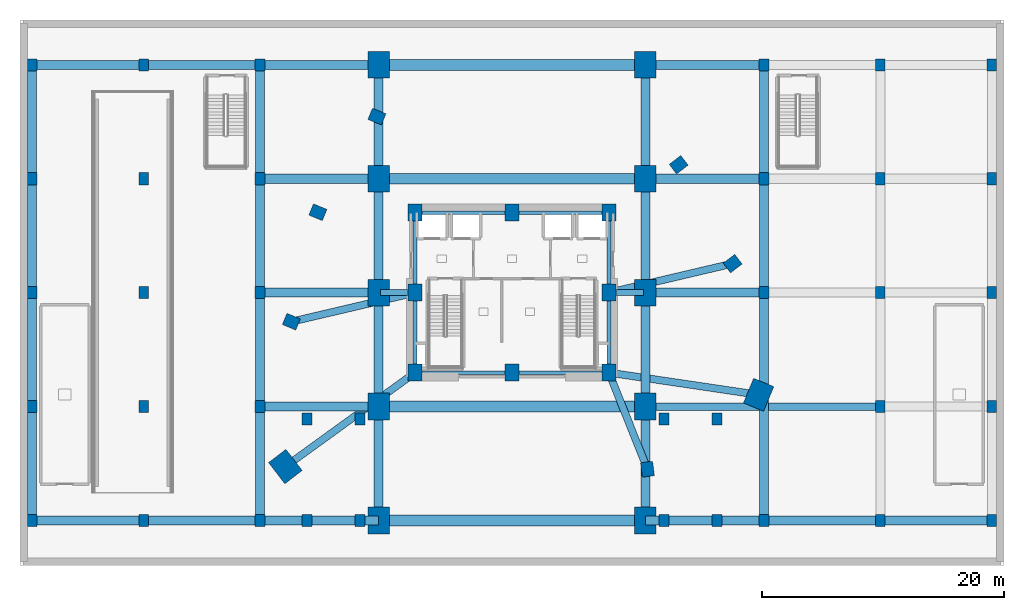
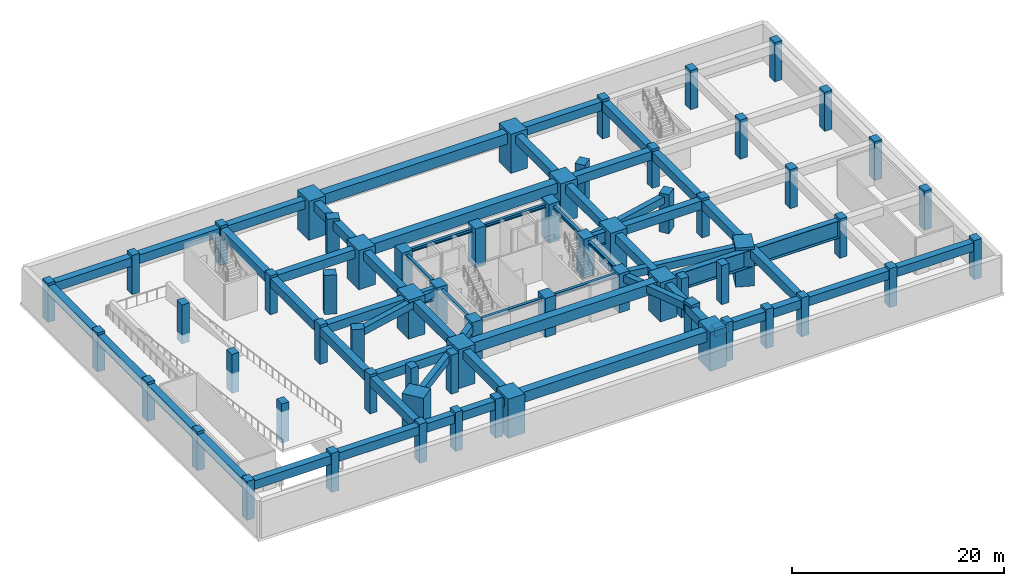
# One storey, part 1 of 9: 63 columns, 58 beams.
"""IFC4 building model written with IfcOpenShell, lengths in metres."""

from ifc_helpers import new_model, si_unit, direction, frame, origin, origin_2d, place, context, subcontext, project, spatial, rectangle, i_section, extrude, material, material_profile, profile_set, type_object, element, save


model = new_model("IFC4")

# Units and contexts
model_context = context("Model", 3, precision=1e-05, world=origin(), true_north=direction((0.0, 1.0)))
body_context = subcontext(model_context, "Body", "Model", "MODEL_VIEW")
ifc_project = project(units=[si_unit("LENGTHUNIT", "METRE"), si_unit("AREAUNIT", "SQUARE_METRE"), si_unit("VOLUMEUNIT", "CUBIC_METRE"), si_unit("PLANEANGLEUNIT", "RADIAN"), si_unit("MASSUNIT", "GRAM", prefix="KILO")], contexts=[model_context])

# Site, building, storey
site_placement = place(None, origin())
site = spatial("IfcSite", under=ifc_project, at=site_placement, CompositionType="ELEMENT")
building_placement = place(site_placement, origin())
building = spatial("IfcBuilding", under=site, at=building_placement, Name="Ndelora Gate Hotel", CompositionType="ELEMENT")
storey_placement = place(building_placement, frame((0.0, 0.0, -9.0)))
storey = spatial("IfcBuildingStorey", under=building, at=storey_placement, Name="B02", CompositionType="ELEMENT", Elevation=-9.0)

# Columns
ifc_material_1 = material(Name="Concrete C60/75", Category="concrete")
ifc_material_profile_1 = material_profile(ifc_material_1, rectangle(XDim=1.800048828125, YDim=2.199951171875, at=origin_2d()), Name="RC 2200x1800")
ifc_profile_set_1 = profile_set([ifc_material_profile_1], Name="Concrete C60/75")
column_type_1 = type_object("IfcColumnType", Name="COL-ARCH-PIER", PredefinedType="COLUMN", material=ifc_profile_set_1)
for number, where, z_axis, x_axis, name in (
    (1, (-11.0, -18.800048828125, 0.0), (0.0, 0.0, 1.0), (1.0, 0.0, 0.0), "B02 Podium Column PC-04-01"),
    (2, (-11.0, -9.39990234375, 0.0), (0.0, 0.0, 1.0), (1.0, 0.0, 0.0), "B02 Podium Column PC-04-02"),
    (3, (-11.0, 0.0, 0.0), (0.0, 0.0, 1.0), (1.0, 0.0, 0.0), "B02 Podium Column PC-04-03"),
    (4, (-11.0, 9.39990234375, 0.0), (0.0, 0.0, 1.0), (1.0, 0.0, 0.0), "B02 Podium Column PC-04-04"),
    (5, (-11.0, 18.800048828125, 0.0), (0.0, 0.0, 1.0), (1.0, 0.0, 0.0), "B02 Podium Column PC-04-05"),
    (6, (11.0, -18.800048828125, 0.0), (0.0, 0.0, 1.0), (1.0, 0.0, 0.0), "B02 Podium Column PC-05-01"),
    (7, (11.0, -9.39990234375, 0.0), (0.0, 0.0, 1.0), (1.0, 0.0, 0.0), "B02 Podium Column PC-05-02"),
    (8, (11.0, 0.0, 0.0), (0.0, 0.0, 1.0), (1.0, 0.0, 0.0), "B02 Podium Column PC-05-03"),
    (9, (11.0, 9.39990234375, 0.0), (0.0, 0.0, 1.0), (1.0, 0.0, 0.0), "B02 Podium Column PC-05-04"),
    (10, (11.0, 18.800048828125, 0.0), (0.0, 0.0, 1.0), (1.0, 0.0, 0.0), "B02 Podium Column PC-05-05"),
):
    element("IfcColumn", number, at=place(storey_placement, frame(where, z_axis=z_axis, x_axis=x_axis)), inside=storey, type_object=column_type_1, Name=name, PredefinedType="COLUMN", context=body_context, shape_type="SweptSolid", body=[
        extrude(rectangle(XDim=1.800048828125, YDim=2.199951171875, at=origin_2d()), origin(), (0.0, 0.0, 1.0), 4.5),
    ])
ifc_material_profile_2 = material_profile(ifc_material_1, rectangle(XDim=1.14990234375, YDim=1.39990234375, at=origin_2d()), Name="RC 1400x1150")
ifc_profile_set_2 = profile_set([ifc_material_profile_2], Name="Concrete C60/75")
column_type_2 = type_object("IfcColumnType", Name="COL-CC-LOW", PredefinedType="COLUMN", material=ifc_profile_set_2)
for number, where, z_axis, x_axis, name in (
    (11, (-8.0, -6.60009765625, 0.0), (0.0, 0.0, 1.0), (1.0, 0.0, 0.0), "B02 Core Column CC1"),
    (12, (0.0, -6.60009765625, 0.0), (0.0, 0.0, 1.0), (1.0, 0.0, 0.0), "B02 Core Column CC2"),
    (13, (8.0, -6.60009765625, 0.0), (0.0, 0.0, 1.0), (1.0, 0.0, 0.0), "B02 Core Column CC3"),
    (14, (8.0, 0.0, 0.0), (0.0, 0.0, 1.0), (1.0, 0.0, 0.0), "B02 Core Column CC4"),
    (15, (8.0, 6.60009765625, 0.0), (0.0, 0.0, 1.0), (1.0, 0.0, 0.0), "B02 Core Column CC5"),
    (16, (0.0, 6.60009765625, 0.0), (0.0, 0.0, 1.0), (1.0, 0.0, 0.0), "B02 Core Column CC6"),
    (17, (-8.0, 6.60009765625, 0.0), (0.0, 0.0, 1.0), (1.0, 0.0, 0.0), "B02 Core Column CC7"),
    (18, (-8.0, 0.0, 0.0), (0.0, 0.0, 1.0), (1.0, 0.0, 0.0), "B02 Core Column CC8"),
):
    element("IfcColumn", number, at=place(storey_placement, frame(where, z_axis=z_axis, x_axis=x_axis)), inside=storey, type_object=column_type_2, Name=name, PredefinedType="COLUMN", context=body_context, shape_type="SweptSolid", body=[
        extrude(rectangle(XDim=1.14990234375, YDim=1.39990234375, at=origin_2d()), origin(), (0.0, 0.0, 1.0), 4.5),
    ])
ifc_material_profile_3 = material_profile(ifc_material_1, rectangle(XDim=1.800048828125, YDim=2.199951171875, at=origin_2d()), Name="RC 2200x1800")
ifc_profile_set_3 = profile_set([ifc_material_profile_3], Name="Concrete C60/75")
column_type_3 = type_object("IfcColumnType", Name="COL-MC-Z1", PredefinedType="COLUMN", material=ifc_profile_set_3)
for number, where, z_axis, x_axis, name in (
    (19, (-18.701904296875, -14.3505859375, 0.0), (0.0, 0.0, 1.0), (0.793353340291, 0.608761429009, 0.0), "B02 Tower Plumb Root Column R5"),
    (20, (20.35009765625, -8.42919921875, 0.0), (0.0, 0.0, 1.0), (-0.923879532511, 0.382683432365, 0.0), "B02 Tower Plumb Root Column R9"),
):
    element("IfcColumn", number, at=place(storey_placement, frame(where, z_axis=z_axis, x_axis=x_axis)), inside=storey, type_object=column_type_3, Name=name, PredefinedType="COLUMN", context=body_context, shape_type="SweptSolid", body=[
        extrude(rectangle(XDim=1.800048828125, YDim=2.199951171875, at=origin_2d()), origin(), (0.0, 0.0, 1.0), 4.5),
    ])
ifc_material_2 = material(Name="Concrete C50/60", Category="concrete")
ifc_material_profile_4 = material_profile(ifc_material_2, rectangle(XDim=0.800048828125, YDim=1.0, at=origin_2d()), Name="RC 1000x800")
ifc_profile_set_4 = profile_set([ifc_material_profile_4], Name="Concrete C50/60")
column_type_4 = type_object("IfcColumnType", Name="COL-POD-BSM", PredefinedType="COLUMN", material=ifc_profile_set_4)
for number, where, z_axis, x_axis, name in (
    (21, (-39.60009765625, -18.800048828125, 0.0), (0.0, 0.0, 1.0), (1.0, 0.0, 0.0), "B02 Podium Column PC-01-01"),
    (22, (-39.60009765625, -9.39990234375, 0.0), (0.0, 0.0, 1.0), (1.0, 0.0, 0.0), "B02 Podium Column PC-01-02"),
    (23, (-39.60009765625, 0.0, 0.0), (0.0, 0.0, 1.0), (1.0, 0.0, 0.0), "B02 Podium Column PC-01-03"),
    (24, (-39.60009765625, 9.39990234375, 0.0), (0.0, 0.0, 1.0), (1.0, 0.0, 0.0), "B02 Podium Column PC-01-04"),
    (25, (-39.60009765625, 18.800048828125, 0.0), (0.0, 0.0, 1.0), (1.0, 0.0, 0.0), "B02 Podium Column PC-01-05"),
    (26, (-30.39990234375, -18.800048828125, 0.0), (0.0, 0.0, 1.0), (1.0, 0.0, 0.0), "B02 Podium Column PC-02-01"),
    (27, (-30.39990234375, -9.39990234375, 0.0), (0.0, 0.0, 1.0), (1.0, 0.0, 0.0), "B02 Podium Column PC-02-02"),
    (28, (-30.39990234375, 0.0, 0.0), (0.0, 0.0, 1.0), (1.0, 0.0, 0.0), "B02 Podium Column PC-02-03"),
    (29, (-30.39990234375, 9.39990234375, 0.0), (0.0, 0.0, 1.0), (1.0, 0.0, 0.0), "B02 Podium Column PC-02-04"),
    (30, (-30.39990234375, 18.800048828125, 0.0), (0.0, 0.0, 1.0), (1.0, 0.0, 0.0), "B02 Podium Column PC-02-05"),
    (31, (-20.800048828125, -18.800048828125, 0.0), (0.0, 0.0, 1.0), (1.0, 0.0, 0.0), "B02 Podium Column PC-03-01"),
    (32, (-20.800048828125, -9.39990234375, 0.0), (0.0, 0.0, 1.0), (1.0, 0.0, 0.0), "B02 Podium Column PC-03-02"),
    (33, (-20.800048828125, 0.0, 0.0), (0.0, 0.0, 1.0), (1.0, 0.0, 0.0), "B02 Podium Column PC-03-03"),
    (34, (-20.800048828125, 9.39990234375, 0.0), (0.0, 0.0, 1.0), (1.0, 0.0, 0.0), "B02 Podium Column PC-03-04"),
    (35, (-20.800048828125, 18.800048828125, 0.0), (0.0, 0.0, 1.0), (1.0, 0.0, 0.0), "B02 Podium Column PC-03-05"),
    (36, (20.800048828125, -18.800048828125, 0.0), (0.0, 0.0, 1.0), (1.0, 0.0, 0.0), "B02 Podium Column PC-06-01"),
    (37, (20.800048828125, 0.0, 0.0), (0.0, 0.0, 1.0), (1.0, 0.0, 0.0), "B02 Podium Column PC-06-03"),
    (38, (20.800048828125, 9.39990234375, 0.0), (0.0, 0.0, 1.0), (1.0, 0.0, 0.0), "B02 Podium Column PC-06-04"),
    (39, (20.800048828125, 18.800048828125, 0.0), (0.0, 0.0, 1.0), (1.0, 0.0, 0.0), "B02 Podium Column PC-06-05"),
    (40, (30.39990234375, -18.800048828125, 0.0), (0.0, 0.0, 1.0), (1.0, 0.0, 0.0), "B02 Podium Column PC-07-01"),
    (41, (30.39990234375, -9.39990234375, 0.0), (0.0, 0.0, 1.0), (1.0, 0.0, 0.0), "B02 Podium Column PC-07-02"),
    (42, (30.39990234375, 0.0, 0.0), (0.0, 0.0, 1.0), (1.0, 0.0, 0.0), "B02 Podium Column PC-07-03"),
    (43, (30.39990234375, 9.39990234375, 0.0), (0.0, 0.0, 1.0), (1.0, 0.0, 0.0), "B02 Podium Column PC-07-04"),
    (44, (30.39990234375, 18.800048828125, 0.0), (0.0, 0.0, 1.0), (1.0, 0.0, 0.0), "B02 Podium Column PC-07-05"),
    (45, (39.60009765625, -18.800048828125, 0.0), (0.0, 0.0, 1.0), (1.0, 0.0, 0.0), "B02 Podium Column PC-08-01"),
    (46, (39.60009765625, -9.39990234375, 0.0), (0.0, 0.0, 1.0), (1.0, 0.0, 0.0), "B02 Podium Column PC-08-02"),
    (47, (39.60009765625, 0.0, 0.0), (0.0, 0.0, 1.0), (1.0, 0.0, 0.0), "B02 Podium Column PC-08-03"),
    (48, (39.60009765625, 9.39990234375, 0.0), (0.0, 0.0, 1.0), (1.0, 0.0, 0.0), "B02 Podium Column PC-08-04"),
    (49, (39.60009765625, 18.800048828125, 0.0), (0.0, 0.0, 1.0), (1.0, 0.0, 0.0), "B02 Podium Column PC-08-05"),
    (50, (-16.919921875, -18.800048828125, 0.0), (0.0, 0.0, 1.0), (1.0, 0.0, 0.0), "B02 Stair ST3A Plumb Support Column 1"),
    (51, (-12.5400390625, -18.800048828125, 0.0), (0.0, 0.0, 1.0), (1.0, 0.0, 0.0), "B02 Stair ST3A Plumb Support Column 2"),
    (52, (-16.919921875, -10.429931640625, 0.0), (0.0, 0.0, 1.0), (1.0, 0.0, 0.0), "B02 Stair ST3A Plumb Support Column 3"),
    (53, (-12.5400390625, -10.429931640625, 0.0), (0.0, 0.0, 1.0), (1.0, 0.0, 0.0), "B02 Stair ST3A Plumb Support Column 4"),
    (54, (12.5400390625, -18.800048828125, 0.0), (0.0, 0.0, 1.0), (1.0, 0.0, 0.0), "B02 Stair ST3B Plumb Support Column 1"),
    (55, (16.919921875, -18.800048828125, 0.0), (0.0, 0.0, 1.0), (1.0, 0.0, 0.0), "B02 Stair ST3B Plumb Support Column 2"),
    (56, (12.5400390625, -10.429931640625, 0.0), (0.0, 0.0, 1.0), (1.0, 0.0, 0.0), "B02 Stair ST3B Plumb Support Column 3"),
    (57, (16.919921875, -10.429931640625, 0.0), (0.0, 0.0, 1.0), (1.0, 0.0, 0.0), "B02 Stair ST3B Plumb Support Column 4"),
):
    element("IfcColumn", number, at=place(storey_placement, frame(where, z_axis=z_axis, x_axis=x_axis)), inside=storey, type_object=column_type_4, Name=name, PredefinedType="COLUMN", context=body_context, shape_type="SweptSolid", body=[
        extrude(rectangle(XDim=0.800048828125, YDim=1.0, at=origin_2d()), origin(), (0.0, 0.0, 1.0), 4.5),
    ])
ifc_material_profile_5 = material_profile(ifc_material_1, rectangle(XDim=1.0, YDim=1.199951171875, at=origin_2d()), Name="RC 1200x1000")
ifc_profile_set_5 = profile_set([ifc_material_profile_5], Name="Concrete C60/75")
column_type_5 = type_object("IfcColumnType", Name="COL-PT-Z1", PredefinedType="COLUMN", material=ifc_profile_set_5)
for number, where, z_axis, x_axis, name in (
    (58, (-11.1484375, 14.529052734375, 0.0), (0.0, 0.0, 1.0), (0.382683432365, 0.923879532511, 0.0), "B02 Tower Plumb Root Column R2"),
    (59, (-16.016845703125, 6.634521484375, 0.0), (0.0, 0.0, 1.0), (0.382683432365, 0.923879532511, 0.0), "B02 Tower Plumb Root Column R3"),
    (60, (-18.207275390625, -2.39697265625, 0.0), (0.0, 0.0, 1.0), (0.382683432365, 0.923879532511, 0.0), "B02 Tower Plumb Root Column R4"),
    (61, (11.179443359375, -14.5693359375, 0.0), (0.0, 0.0, 1.0), (0.991444861374, 0.13052619222, 0.0), "B02 Tower Plumb Root Column R8"),
    (62, (18.207275390625, 2.39697265625, 0.0), (0.0, 0.0, 1.0), (-0.608761429009, 0.793353340291, 0.0), "B02 Tower Plumb Root Column R10"),
    (63, (13.75390625, 10.5537109375, 0.0), (0.0, 0.0, 1.0), (-0.608761429009, 0.793353340291, 0.0), "B02 Tower Plumb Root Column R11"),
):
    element("IfcColumn", number, at=place(storey_placement, frame(where, z_axis=z_axis, x_axis=x_axis)), inside=storey, type_object=column_type_5, Name=name, PredefinedType="COLUMN", context=body_context, shape_type="SweptSolid", body=[
        extrude(rectangle(XDim=1.0, YDim=1.199951171875, at=origin_2d()), origin(), (0.0, 0.0, 1.0), 4.5),
    ])

# Beams
ifc_material_3 = material(Name="Steel S355", Category="steel")
ifc_material_profile_6 = material_profile(ifc_material_3, i_section(OverallWidth=0.300048828125, OverallDepth=0.39990234375, WebThickness=0.013427734375, FlangeThickness=0.02392578125, FilletRadius=0.027099609375, at=origin_2d()), Name="HEB 400")
ifc_profile_set_6 = profile_set([ifc_material_profile_6], Name="Steel S355")
beam_type_1 = type_object("IfcBeamType", Name="BM-CORE-400", PredefinedType="BEAM", material=ifc_profile_set_6)
for number, where, z_axis, x_axis, name in (
    (64, (-8.0, 6.60009765625, 4.0), (1.0, 0.0, 0.0), (0.0, 1.0, 0.0), "B02 Core Tie Girder CC7-CC6"),
    (65, (0.0, 6.60009765625, 4.0), (1.0, 0.0, 0.0), (0.0, 1.0, 0.0), "B02 Core Tie Girder CC6-CC5"),
):
    element("IfcBeam", number, at=place(storey_placement, frame(where, z_axis=z_axis, x_axis=x_axis)), inside=storey, type_object=beam_type_1, Name=name, PredefinedType="BEAM", context=body_context, shape_type="SweptSolid", body=[
        extrude(i_section(OverallWidth=0.300048828125, OverallDepth=0.39990234375, WebThickness=0.013427734375, FlangeThickness=0.02392578125, FilletRadius=0.027099609375, at=origin_2d()), origin(), (0.0, 0.0, 1.0), 8.0),
    ])
for number, where, z_axis, x_axis, name in (
    (66, (-8.0, -6.60009765625, 4.0), (0.0, 1.0, 0.0), (-1.0, 0.0, 0.0), "B02 Core Tie Girder CC1-CC8"),
    (67, (-8.0, 0.0, 4.0), (0.0, 1.0, 0.0), (-1.0, 0.0, 0.0), "B02 Core Tie Girder CC8-CC7"),
    (68, (8.0, -6.60009765625, 4.0), (0.0, 1.0, 0.0), (-1.0, 0.0, 0.0), "B02 Core Tie Girder CC3-CC4"),
    (69, (8.0, 0.0, 4.0), (0.0, 1.0, 0.0), (-1.0, 0.0, 0.0), "B02 Core Tie Girder CC4-CC5"),
):
    element("IfcBeam", number, at=place(storey_placement, frame(where, z_axis=z_axis, x_axis=x_axis)), inside=storey, type_object=beam_type_1, Name=name, PredefinedType="BEAM", context=body_context, shape_type="SweptSolid", body=[
        extrude(i_section(OverallWidth=0.300048828125, OverallDepth=0.39990234375, WebThickness=0.013427734375, FlangeThickness=0.02392578125, FilletRadius=0.027099609375, at=origin_2d()), origin(), (0.0, 0.0, 1.0), 6.60009765625),
    ])
for number, where, z_axis, x_axis, name in (
    (70, (-8.0, -6.60009765625, 4.0), (1.0, 0.0, 0.0), (0.0, 1.0, 0.0), "B02 Core Tie Girder CC1-CC2"),
    (71, (0.0, -6.60009765625, 4.0), (1.0, 0.0, 0.0), (0.0, 1.0, 0.0), "B02 Core Tie Girder CC2-CC3"),
):
    element("IfcBeam", number, at=place(storey_placement, frame(where, z_axis=z_axis, x_axis=x_axis)), inside=storey, type_object=beam_type_1, Name=name, PredefinedType="BEAM", context=body_context, shape_type="SweptSolid", body=[
        extrude(i_section(OverallWidth=0.300048828125, OverallDepth=0.39990234375, WebThickness=0.013427734375, FlangeThickness=0.02392578125, FilletRadius=0.027099609375, at=origin_2d()), origin(), (0.0, 0.0, 1.0), 8.0),
    ])
ifc_material_4 = material(Name="Concrete C40/50", Category="concrete")
ifc_material_profile_7 = material_profile(ifc_material_4, rectangle(XDim=0.60009765625, YDim=0.85009765625, at=origin_2d()), Name="RCB 600x850")
ifc_profile_set_7 = profile_set([ifc_material_profile_7], Name="Concrete C40/50")
beam_type_2 = type_object("IfcBeamType", Name="BM-RC-600x850", PredefinedType="BEAM", material=ifc_profile_set_7)
beam_1_placement = place(storey_placement, frame((-8.0, 0.0, 3.77490234375), z_axis=(-0.973517848051, -0.22861102232, 0.0), x_axis=(0.22861102232, -0.973517848051, 0.0)))
element("IfcBeam", 72, at=beam_1_placement, inside=storey, type_object=beam_type_2, Name="B02 Tower Root Radial Tie Beam 4", PredefinedType="BEAM", context=body_context, shape_type="SweptSolid", body=[
    extrude(rectangle(XDim=0.60009765625, YDim=0.85009765625, at=origin_2d()), origin(), (0.0, 0.0, 1.0), 10.48486328125),
])
beam_2_placement = place(storey_placement, frame((-8.0, -6.60009765625, 3.77490234375), z_axis=(-0.809912157619, -0.586551188679, 0.0), x_axis=(0.586551188679, -0.809912157619, 0.0)))
element("IfcBeam", 73, at=beam_2_placement, inside=storey, type_object=beam_type_2, Name="B02 Tower Root Radial Tie Beam 5", PredefinedType="BEAM", context=body_context, shape_type="SweptSolid", body=[
    extrude(rectangle(XDim=0.60009765625, YDim=0.85009765625, at=origin_2d()), origin(), (0.0, 0.0, 1.0), 13.213623046875),
])
beam_3_placement = place(storey_placement, frame((8.0, -6.60009765625, 3.77490234375), z_axis=(0.37056142644, -0.92880796144, 0.0), x_axis=(0.92880796144, 0.37056142644, 0.0)))
element("IfcBeam", 74, at=beam_3_placement, inside=storey, type_object=beam_type_2, Name="B02 Tower Root Radial Tie Beam 8", PredefinedType="BEAM", context=body_context, shape_type="SweptSolid", body=[
    extrude(rectangle(XDim=0.60009765625, YDim=0.85009765625, at=origin_2d()), origin(), (0.0, 0.0, 1.0), 8.580078125),
])
beam_4_placement = place(storey_placement, frame((8.0, -6.60009765625, 3.77490234375), z_axis=(0.989209761041, -0.146506138649, 0.0), x_axis=(0.146506138649, 0.989209761041, 0.0)))
element("IfcBeam", 75, at=beam_4_placement, inside=storey, type_object=beam_type_2, Name="B02 Tower Root Radial Tie Beam 9", PredefinedType="BEAM", context=body_context, shape_type="SweptSolid", body=[
    extrude(rectangle(XDim=0.60009765625, YDim=0.85009765625, at=origin_2d()), origin(), (0.0, 0.0, 1.0), 12.48486328125),
])
beam_5_placement = place(storey_placement, frame((8.0, 0.0, 3.77490234375), z_axis=(0.973517848051, 0.22861102232, 0.0), x_axis=(-0.22861102232, 0.973517848051, 0.0)))
element("IfcBeam", 76, at=beam_5_placement, inside=storey, type_object=beam_type_2, Name="B02 Tower Root Radial Tie Beam 10", PredefinedType="BEAM", context=body_context, shape_type="SweptSolid", body=[
    extrude(rectangle(XDim=0.60009765625, YDim=0.85009765625, at=origin_2d()), origin(), (0.0, 0.0, 1.0), 10.48486328125),
])
ifc_material_profile_8 = material_profile(ifc_material_2, rectangle(XDim=0.75, YDim=1.0, at=origin_2d()), Name="RCB 750x1000")
ifc_profile_set_8 = profile_set([ifc_material_profile_8], Name="Concrete C50/60")
beam_type_3 = type_object("IfcBeamType", Name="BM-RC-750x1000", PredefinedType="BEAM", material=ifc_profile_set_8)
beam_6_placement = place(storey_placement, frame((-39.60009765625, -18.800048828125, 3.699951171875), z_axis=(0.0, 1.0, 0.0), x_axis=(-1.0, 0.0, 0.0)))
element("IfcBeam", 77, at=beam_6_placement, inside=storey, type_object=beam_type_3, Name="B02 Podium Longitudinal Girder X=-39.6", PredefinedType="BEAM", context=body_context, shape_type="SweptSolid", body=[
    extrude(rectangle(XDim=0.75, YDim=1.0, at=origin_2d()), origin(), (0.0, 0.0, 1.0), 9.400146484375),
])
for number, where, z_axis, x_axis, name in (
    (78, (-39.60009765625, -9.39990234375, 3.699951171875), (0.0, 1.0, 0.0), (-1.0, 0.0, 0.0), "B02 Podium Longitudinal Girder X=-39.6"),
    (79, (-39.60009765625, 0.0, 3.699951171875), (0.0, 1.0, 0.0), (-1.0, 0.0, 0.0), "B02 Podium Longitudinal Girder X=-39.6"),
):
    element("IfcBeam", number, at=place(storey_placement, frame(where, z_axis=z_axis, x_axis=x_axis)), inside=storey, type_object=beam_type_3, Name=name, PredefinedType="BEAM", context=body_context, shape_type="SweptSolid", body=[
        extrude(rectangle(XDim=0.75, YDim=1.0, at=origin_2d()), origin(), (0.0, 0.0, 1.0), 9.39990234375),
    ])
for number, where, z_axis, x_axis, name in (
    (80, (-39.60009765625, 9.39990234375, 3.699951171875), (0.0, 1.0, 0.0), (-1.0, 0.0, 0.0), "B02 Podium Longitudinal Girder X=-39.6"),
    (81, (-20.800048828125, -18.800048828125, 3.699951171875), (0.0, 1.0, 0.0), (-1.0, 0.0, 0.0), "B02 Podium Longitudinal Girder X=-20.8"),
):
    element("IfcBeam", number, at=place(storey_placement, frame(where, z_axis=z_axis, x_axis=x_axis)), inside=storey, type_object=beam_type_3, Name=name, PredefinedType="BEAM", context=body_context, shape_type="SweptSolid", body=[
        extrude(rectangle(XDim=0.75, YDim=1.0, at=origin_2d()), origin(), (0.0, 0.0, 1.0), 9.400146484375),
    ])
for number, where, z_axis, x_axis, name in (
    (82, (-20.800048828125, -9.39990234375, 3.699951171875), (0.0, 1.0, 0.0), (-1.0, 0.0, 0.0), "B02 Podium Longitudinal Girder X=-20.8"),
    (83, (-20.800048828125, 0.0, 3.699951171875), (0.0, 1.0, 0.0), (-1.0, 0.0, 0.0), "B02 Podium Longitudinal Girder X=-20.8"),
):
    element("IfcBeam", number, at=place(storey_placement, frame(where, z_axis=z_axis, x_axis=x_axis)), inside=storey, type_object=beam_type_3, Name=name, PredefinedType="BEAM", context=body_context, shape_type="SweptSolid", body=[
        extrude(rectangle(XDim=0.75, YDim=1.0, at=origin_2d()), origin(), (0.0, 0.0, 1.0), 9.39990234375),
    ])
for number, where, z_axis, x_axis, name in (
    (84, (-20.800048828125, 9.39990234375, 3.699951171875), (0.0, 1.0, 0.0), (-1.0, 0.0, 0.0), "B02 Podium Longitudinal Girder X=-20.8"),
    (85, (-11.0, -18.800048828125, 3.699951171875), (0.0, 1.0, 0.0), (-1.0, 0.0, 0.0), "B02 Podium Longitudinal Girder X=-11.0"),
):
    element("IfcBeam", number, at=place(storey_placement, frame(where, z_axis=z_axis, x_axis=x_axis)), inside=storey, type_object=beam_type_3, Name=name, PredefinedType="BEAM", context=body_context, shape_type="SweptSolid", body=[
        extrude(rectangle(XDim=0.75, YDim=1.0, at=origin_2d()), origin(), (0.0, 0.0, 1.0), 9.400146484375),
    ])
for number, where, z_axis, x_axis, name in (
    (86, (-11.0, -9.39990234375, 3.699951171875), (0.0, 1.0, 0.0), (-1.0, 0.0, 0.0), "B02 Podium Longitudinal Girder X=-11.0"),
    (87, (-11.0, 0.0, 3.699951171875), (0.0, 1.0, 0.0), (-1.0, 0.0, 0.0), "B02 Podium Longitudinal Girder X=-11.0"),
):
    element("IfcBeam", number, at=place(storey_placement, frame(where, z_axis=z_axis, x_axis=x_axis)), inside=storey, type_object=beam_type_3, Name=name, PredefinedType="BEAM", context=body_context, shape_type="SweptSolid", body=[
        extrude(rectangle(XDim=0.75, YDim=1.0, at=origin_2d()), origin(), (0.0, 0.0, 1.0), 9.39990234375),
    ])
for number, where, z_axis, x_axis, name in (
    (88, (-11.0, 9.39990234375, 3.699951171875), (0.0, 1.0, 0.0), (-1.0, 0.0, 0.0), "B02 Podium Longitudinal Girder X=-11.0"),
    (89, (11.0, -18.800048828125, 3.699951171875), (0.0, 1.0, 0.0), (-1.0, 0.0, 0.0), "B02 Podium Longitudinal Girder X=+11.0"),
):
    element("IfcBeam", number, at=place(storey_placement, frame(where, z_axis=z_axis, x_axis=x_axis)), inside=storey, type_object=beam_type_3, Name=name, PredefinedType="BEAM", context=body_context, shape_type="SweptSolid", body=[
        extrude(rectangle(XDim=0.75, YDim=1.0, at=origin_2d()), origin(), (0.0, 0.0, 1.0), 9.400146484375),
    ])
for number, where, z_axis, x_axis, name in (
    (90, (11.0, -9.39990234375, 3.699951171875), (0.0, 1.0, 0.0), (-1.0, 0.0, 0.0), "B02 Podium Longitudinal Girder X=+11.0"),
    (91, (11.0, 0.0, 3.699951171875), (0.0, 1.0, 0.0), (-1.0, 0.0, 0.0), "B02 Podium Longitudinal Girder X=+11.0"),
):
    element("IfcBeam", number, at=place(storey_placement, frame(where, z_axis=z_axis, x_axis=x_axis)), inside=storey, type_object=beam_type_3, Name=name, PredefinedType="BEAM", context=body_context, shape_type="SweptSolid", body=[
        extrude(rectangle(XDim=0.75, YDim=1.0, at=origin_2d()), origin(), (0.0, 0.0, 1.0), 9.39990234375),
    ])
beam_7_placement = place(storey_placement, frame((11.0, 9.39990234375, 3.699951171875), z_axis=(0.0, 1.0, 0.0), x_axis=(-1.0, 0.0, 0.0)))
element("IfcBeam", 92, at=beam_7_placement, inside=storey, type_object=beam_type_3, Name="B02 Podium Longitudinal Girder X=+11.0", PredefinedType="BEAM", context=body_context, shape_type="SweptSolid", body=[
    extrude(rectangle(XDim=0.75, YDim=1.0, at=origin_2d()), origin(), (0.0, 0.0, 1.0), 9.400146484375),
])
beam_8_placement = place(storey_placement, frame((20.800048828125, -18.800048828125, 3.699951171875), z_axis=(0.0, 1.0, 0.0), x_axis=(-1.0, 0.0, 0.0)))
element("IfcBeam", 93, at=beam_8_placement, inside=storey, type_object=beam_type_3, Name="B02 Podium Longitudinal Girder X=+20.8", PredefinedType="BEAM", context=body_context, shape_type="SweptSolid", body=[
    extrude(rectangle(XDim=0.75, YDim=1.0, at=origin_2d()), origin(), (0.0, 0.0, 1.0), 18.800048828125),
])
beam_9_placement = place(storey_placement, frame((20.800048828125, 0.0, 3.699951171875), z_axis=(0.0, 1.0, 0.0), x_axis=(-1.0, 0.0, 0.0)))
element("IfcBeam", 94, at=beam_9_placement, inside=storey, type_object=beam_type_3, Name="B02 Podium Longitudinal Girder X=+20.8", PredefinedType="BEAM", context=body_context, shape_type="SweptSolid", body=[
    extrude(rectangle(XDim=0.75, YDim=1.0, at=origin_2d()), origin(), (0.0, 0.0, 1.0), 9.39990234375),
])
beam_10_placement = place(storey_placement, frame((20.800048828125, 9.39990234375, 3.699951171875), z_axis=(0.0, 1.0, 0.0), x_axis=(-1.0, 0.0, 0.0)))
element("IfcBeam", 95, at=beam_10_placement, inside=storey, type_object=beam_type_3, Name="B02 Podium Longitudinal Girder X=+20.8", PredefinedType="BEAM", context=body_context, shape_type="SweptSolid", body=[
    extrude(rectangle(XDim=0.75, YDim=1.0, at=origin_2d()), origin(), (0.0, 0.0, 1.0), 9.400146484375),
])
beam_11_placement = place(storey_placement, frame((-39.60009765625, -18.800048828125, 3.699951171875), z_axis=(1.0, 0.0, 0.0), x_axis=(0.0, 1.0, 0.0)))
element("IfcBeam", 96, at=beam_11_placement, inside=storey, type_object=beam_type_3, Name="B02 Podium Transverse Girder Y=-18.8", PredefinedType="BEAM", context=body_context, shape_type="SweptSolid", body=[
    extrude(rectangle(XDim=0.75, YDim=1.0, at=origin_2d()), origin(), (0.0, 0.0, 1.0), 9.2001953125),
])
beam_12_placement = place(storey_placement, frame((-30.39990234375, -18.800048828125, 3.699951171875), z_axis=(1.0, 0.0, 0.0), x_axis=(0.0, 1.0, 0.0)))
element("IfcBeam", 97, at=beam_12_placement, inside=storey, type_object=beam_type_3, Name="B02 Podium Transverse Girder Y=-18.8", PredefinedType="BEAM", context=body_context, shape_type="SweptSolid", body=[
    extrude(rectangle(XDim=0.75, YDim=1.0, at=origin_2d()), origin(), (0.0, 0.0, 1.0), 9.599853515625),
])
beam_13_placement = place(storey_placement, frame((-20.800048828125, -18.800048828125, 3.699951171875), z_axis=(1.0, 0.0, 0.0), x_axis=(0.0, 1.0, 0.0)))
element("IfcBeam", 98, at=beam_13_placement, inside=storey, type_object=beam_type_3, Name="B02 Podium Transverse Girder Y=-18.8", PredefinedType="BEAM", context=body_context, shape_type="SweptSolid", body=[
    extrude(rectangle(XDim=0.75, YDim=1.0, at=origin_2d()), origin(), (0.0, 0.0, 1.0), 3.880126953125),
])
beam_14_placement = place(storey_placement, frame((-16.919921875, -18.800048828125, 3.699951171875), z_axis=(1.0, 0.0, 0.0), x_axis=(0.0, 1.0, 0.0)))
element("IfcBeam", 99, at=beam_14_placement, inside=storey, type_object=beam_type_3, Name="B02 Podium Transverse Girder Y=-18.8", PredefinedType="BEAM", context=body_context, shape_type="SweptSolid", body=[
    extrude(rectangle(XDim=0.75, YDim=1.0, at=origin_2d()), origin(), (0.0, 0.0, 1.0), 4.3798828125),
])
for number, where, z_axis, x_axis, name in (
    (100, (-12.5400390625, -18.800048828125, 3.699951171875), (1.0, 0.0, 0.0), (0.0, 1.0, 0.0), "B02 Podium Transverse Girder Y=-18.8"),
    (101, (11.0, -18.800048828125, 3.699951171875), (1.0, 0.0, 0.0), (0.0, 1.0, 0.0), "B02 Podium Transverse Girder Y=-18.8"),
):
    element("IfcBeam", number, at=place(storey_placement, frame(where, z_axis=z_axis, x_axis=x_axis)), inside=storey, type_object=beam_type_3, Name=name, PredefinedType="BEAM", context=body_context, shape_type="SweptSolid", body=[
        extrude(rectangle(XDim=0.75, YDim=1.0, at=origin_2d()), origin(), (0.0, 0.0, 1.0), 1.5400390625),
    ])
beam_15_placement = place(storey_placement, frame((12.5400390625, -18.800048828125, 3.699951171875), z_axis=(1.0, 0.0, 0.0), x_axis=(0.0, 1.0, 0.0)))
element("IfcBeam", 102, at=beam_15_placement, inside=storey, type_object=beam_type_3, Name="B02 Podium Transverse Girder Y=-18.8", PredefinedType="BEAM", context=body_context, shape_type="SweptSolid", body=[
    extrude(rectangle(XDim=0.75, YDim=1.0, at=origin_2d()), origin(), (0.0, 0.0, 1.0), 4.3798828125),
])
beam_16_placement = place(storey_placement, frame((16.919921875, -18.800048828125, 3.699951171875), z_axis=(1.0, 0.0, 0.0), x_axis=(0.0, 1.0, 0.0)))
element("IfcBeam", 103, at=beam_16_placement, inside=storey, type_object=beam_type_3, Name="B02 Podium Transverse Girder Y=-18.8", PredefinedType="BEAM", context=body_context, shape_type="SweptSolid", body=[
    extrude(rectangle(XDim=0.75, YDim=1.0, at=origin_2d()), origin(), (0.0, 0.0, 1.0), 3.880126953125),
])
beam_17_placement = place(storey_placement, frame((20.800048828125, -18.800048828125, 3.699951171875), z_axis=(1.0, 0.0, 0.0), x_axis=(0.0, 1.0, 0.0)))
element("IfcBeam", 104, at=beam_17_placement, inside=storey, type_object=beam_type_3, Name="B02 Podium Transverse Girder Y=-18.8", PredefinedType="BEAM", context=body_context, shape_type="SweptSolid", body=[
    extrude(rectangle(XDim=0.75, YDim=1.0, at=origin_2d()), origin(), (0.0, 0.0, 1.0), 9.599853515625),
])
beam_18_placement = place(storey_placement, frame((30.39990234375, -18.800048828125, 3.699951171875), z_axis=(1.0, 0.0, 0.0), x_axis=(0.0, 1.0, 0.0)))
element("IfcBeam", 105, at=beam_18_placement, inside=storey, type_object=beam_type_3, Name="B02 Podium Transverse Girder Y=-18.8", PredefinedType="BEAM", context=body_context, shape_type="SweptSolid", body=[
    extrude(rectangle(XDim=0.75, YDim=1.0, at=origin_2d()), origin(), (0.0, 0.0, 1.0), 9.2001953125),
])
for number, where, z_axis, x_axis, name in (
    (106, (-20.800048828125, -9.39990234375, 3.699951171875), (1.0, 0.0, 0.0), (0.0, 1.0, 0.0), "B02 Podium Transverse Girder Y=-9.4"),
    (107, (-20.800048828125, 0.0, 3.699951171875), (1.0, 0.0, 0.0), (0.0, 1.0, 0.0), "B02 Podium Transverse Girder Y=+0.0"),
    (108, (11.0, 0.0, 3.699951171875), (1.0, 0.0, 0.0), (0.0, 1.0, 0.0), "B02 Podium Transverse Girder Y=+0.0"),
    (109, (-20.800048828125, 9.39990234375, 3.699951171875), (1.0, 0.0, 0.0), (0.0, 1.0, 0.0), "B02 Podium Transverse Girder Y=+9.4"),
    (110, (11.0, 9.39990234375, 3.699951171875), (1.0, 0.0, 0.0), (0.0, 1.0, 0.0), "B02 Podium Transverse Girder Y=+9.4"),
):
    element("IfcBeam", number, at=place(storey_placement, frame(where, z_axis=z_axis, x_axis=x_axis)), inside=storey, type_object=beam_type_3, Name=name, PredefinedType="BEAM", context=body_context, shape_type="SweptSolid", body=[
        extrude(rectangle(XDim=0.75, YDim=1.0, at=origin_2d()), origin(), (0.0, 0.0, 1.0), 9.800048828125),
    ])
beam_19_placement = place(storey_placement, frame((-39.60009765625, 18.800048828125, 3.699951171875), z_axis=(1.0, 0.0, 0.0), x_axis=(0.0, 1.0, 0.0)))
element("IfcBeam", 111, at=beam_19_placement, inside=storey, type_object=beam_type_3, Name="B02 Podium Transverse Girder Y=+18.8", PredefinedType="BEAM", context=body_context, shape_type="SweptSolid", body=[
    extrude(rectangle(XDim=0.75, YDim=1.0, at=origin_2d()), origin(), (0.0, 0.0, 1.0), 9.2001953125),
])
beam_20_placement = place(storey_placement, frame((-30.39990234375, 18.800048828125, 3.699951171875), z_axis=(1.0, 0.0, 0.0), x_axis=(0.0, 1.0, 0.0)))
element("IfcBeam", 112, at=beam_20_placement, inside=storey, type_object=beam_type_3, Name="B02 Podium Transverse Girder Y=+18.8", PredefinedType="BEAM", context=body_context, shape_type="SweptSolid", body=[
    extrude(rectangle(XDim=0.75, YDim=1.0, at=origin_2d()), origin(), (0.0, 0.0, 1.0), 9.599853515625),
])
for number, where, z_axis, x_axis, name in (
    (113, (-20.800048828125, 18.800048828125, 3.699951171875), (1.0, 0.0, 0.0), (0.0, 1.0, 0.0), "B02 Podium Transverse Girder Y=+18.8"),
    (114, (11.0, 18.800048828125, 3.699951171875), (1.0, 0.0, 0.0), (0.0, 1.0, 0.0), "B02 Podium Transverse Girder Y=+18.8"),
):
    element("IfcBeam", number, at=place(storey_placement, frame(where, z_axis=z_axis, x_axis=x_axis)), inside=storey, type_object=beam_type_3, Name=name, PredefinedType="BEAM", context=body_context, shape_type="SweptSolid", body=[
        extrude(rectangle(XDim=0.75, YDim=1.0, at=origin_2d()), origin(), (0.0, 0.0, 1.0), 9.800048828125),
    ])
ifc_material_profile_9 = material_profile(ifc_material_2, rectangle(XDim=0.89990234375, YDim=1.199951171875, at=origin_2d()), Name="RCB 900x1200")
ifc_profile_set_9 = profile_set([ifc_material_profile_9], Name="Concrete C50/60")
beam_type_4 = type_object("IfcBeamType", Name="BM-RC-900x1200", PredefinedType="BEAM", material=ifc_profile_set_9)
for number, where, z_axis, x_axis, name in (
    (115, (-11.0, -18.800048828125, 3.60009765625), (1.0, 0.0, 0.0), (0.0, 1.0, 0.0), "B02 structural beam RCB-1"),
    (116, (-11.0, -9.39990234375, 3.60009765625), (1.0, 0.0, 0.0), (0.0, 1.0, 0.0), "B02 structural beam RCB-1"),
    (117, (-11.0, 9.39990234375, 3.60009765625), (1.0, 0.0, 0.0), (0.0, 1.0, 0.0), "B02 structural beam RCB-1"),
    (118, (-11.0, 18.800048828125, 3.60009765625), (1.0, 0.0, 0.0), (0.0, 1.0, 0.0), "B02 structural beam RCB-1"),
):
    element("IfcBeam", number, at=place(storey_placement, frame(where, z_axis=z_axis, x_axis=x_axis)), inside=storey, type_object=beam_type_4, Name=name, PredefinedType="BEAM", context=body_context, shape_type="SweptSolid", body=[
        extrude(rectangle(XDim=0.89990234375, YDim=1.199951171875, at=origin_2d()), origin(), (0.0, 0.0, 1.0), 22.0),
    ])
ifc_material_5 = material(Name="Steel S460", Category="steel")
ifc_material_profile_10 = material_profile(ifc_material_5, i_section(OverallWidth=0.5, OverallDepth=1.39990234375, WebThickness=0.02392578125, FlangeThickness=0.035888671875, FilletRadius=0.02197265625, at=origin_2d()), Name="PG 1400x500x36")
ifc_profile_set_10 = profile_set([ifc_material_profile_10], Name="Steel S460")
beam_type_5 = type_object("IfcBeamType", Name="BM-TR-1400", PredefinedType="BEAM", material=ifc_profile_set_10)
for number, where, z_axis, x_axis, name in (
    (119, (-10.85009765625, 0.0, 3.5), (1.0, 0.0, 0.0), (0.0, 1.0, 0.0), "B02 structural beam TG-3"),
    (120, (8.5, 0.0, 3.5), (1.0, 0.0, 0.0), (0.0, 1.0, 0.0), "B02 structural beam TG-3"),
):
    element("IfcBeam", number, at=place(storey_placement, frame(where, z_axis=z_axis, x_axis=x_axis)), inside=storey, type_object=beam_type_5, Name=name, PredefinedType="BEAM", context=body_context, shape_type="SweptSolid", body=[
        extrude(i_section(OverallWidth=0.5, OverallDepth=1.39990234375, WebThickness=0.02392578125, FlangeThickness=0.035888671875, FilletRadius=0.02197265625, at=origin_2d()), origin(), (0.0, 0.0, 1.0), 2.35009765625),
    ])
ifc_material_profile_11 = material_profile(ifc_material_5, i_section(OverallWidth=0.6201171875, OverallDepth=2.0, WebThickness=0.028076171875, FlangeThickness=0.0400390625, FilletRadius=0.02392578125, at=origin_2d()), Name="PG 2000x620x40")
ifc_profile_set_11 = profile_set([ifc_material_profile_11], Name="Steel S460")
beam_type_6 = type_object("IfcBeamType", Name="BM-TR-2000", PredefinedType="BEAM", material=ifc_profile_set_11)
beam_21_placement = place(storey_placement, frame((11.0, -9.39990234375, 3.199951171875), z_axis=(1.0, 0.0, 0.0), x_axis=(0.0, 1.0, 0.0)))
element("IfcBeam", 121, at=beam_21_placement, inside=storey, type_object=beam_type_6, Name="B02 Podium Transverse Girder Y=-9.4", PredefinedType="BEAM", context=body_context, shape_type="SweptSolid", body=[
    extrude(i_section(OverallWidth=0.6201171875, OverallDepth=2.0, WebThickness=0.028076171875, FlangeThickness=0.0400390625, FilletRadius=0.02392578125, at=origin_2d()), origin(), (0.0, 0.0, 1.0), 19.39990234375),
])

save(model, "model.ifc")
